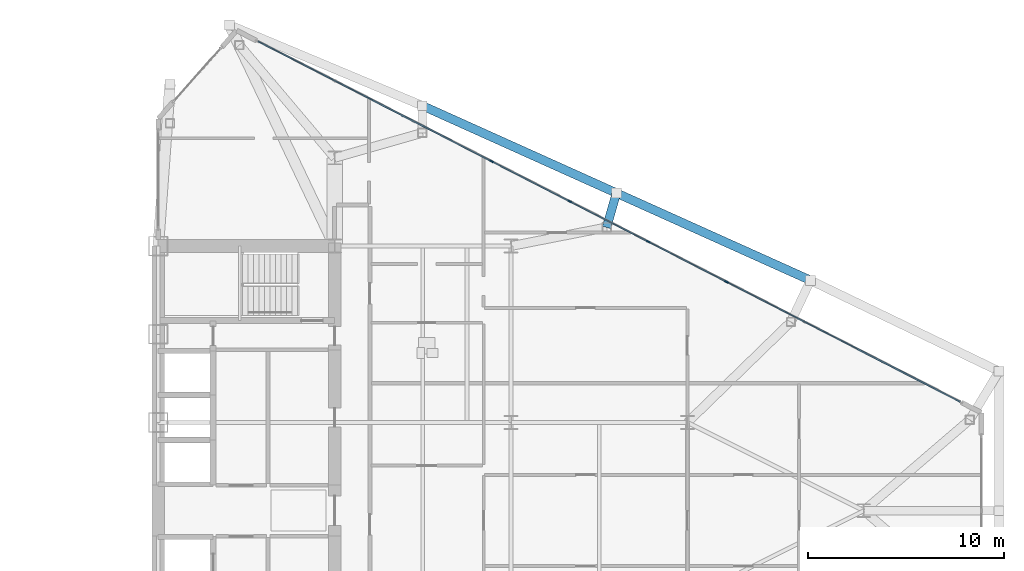
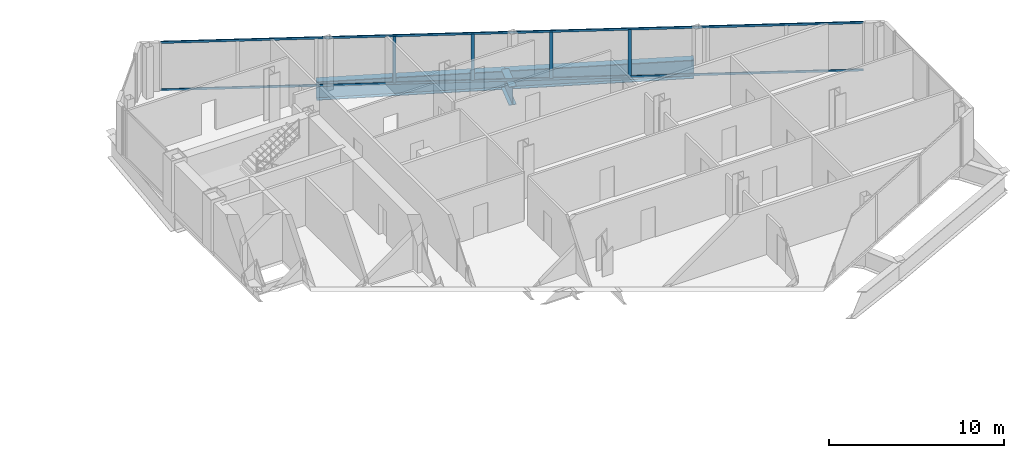
# One storey, part 14 of 28: 6 members, 3 beams, 1 element without a shape of its own.
"""IFC4 building model written with IfcOpenShell, lengths in metres."""

from ifc_helpers import new_model, si_unit, direction, frame, origin, origin_2d, place, context, subcontext, project, spatial, rectangle, i_section, extrude, source, transform, mapped, material, layer, layer_set, material_profile, profile_set, type_object, type_shapes, element, aggregate, save


model = new_model("IFC4")

# Units and contexts
model_context = context("Model", 3, precision=1e-05, world=origin(), true_north=direction((0.0, 1.0)))
body_context = subcontext(model_context, "Body", "Model", "MODEL_VIEW")
ifc_project = project(units=[si_unit("LENGTHUNIT", "METRE"), si_unit("AREAUNIT", "SQUARE_METRE"), si_unit("VOLUMEUNIT", "CUBIC_METRE"), si_unit("PLANEANGLEUNIT", "RADIAN"), si_unit("MASSUNIT", "GRAM", prefix="KILO")], contexts=[model_context])

# Site, building, storey
site_placement = place(None, origin())
site = spatial("IfcSite", under=ifc_project, at=site_placement, CompositionType="ELEMENT")
building_placement = place(site_placement, origin())
building = spatial("IfcBuilding", under=site, at=building_placement, Name="Seokmaru Belvedere", CompositionType="ELEMENT")
storey_placement = place(building_placement, frame((0.0, 0.0, 110.39990234375)))
storey = spatial("IfcBuildingStorey", under=building, at=storey_placement, Name="L29", CompositionType="ELEMENT", Elevation=110.39990234375)

# Beams
ifc_material_1 = material(Name="Steel HSA650 (650 MPa)", Category="steel")
ifc_material_profile_1 = material_profile(ifc_material_1, i_section(OverallWidth=0.449951171875, OverallDepth=1.300048828125, WebThickness=0.02197265625, FlangeThickness=0.0380859375, at=origin_2d()), Name="BH-1300x450x22x38")
ifc_profile_set_1 = profile_set([ifc_material_profile_1], Name="Steel HSA650 (650 MPa)")
beam_type = type_object("IfcBeamType", Name="Observatory Long-Span Roof Girder BH-1300", PredefinedType="BEAM", material=ifc_profile_set_1)
shared_shape_1 = source(origin(), body_context, "Body", "SweptSolid", [
    extrude(i_section(OverallWidth=0.449951171875, OverallDepth=1.300048828125, WebThickness=0.02197265625, FlangeThickness=0.0380859375, at=origin_2d()), origin(), (0.0, 0.0, 1.0), 10.85888671875),
])
for number, where, z_axis, x_axis, name in (
    (1, (40.97265625, 20.661376953125, -0.869873046875), (0.911921505175, -0.410364677329, 0.0), (0.410364677329, 0.911921505175, 0.0), "L29 E Faceted Flank Spandrel N-2"),
    (2, (50.875, 16.205322265625, -0.869873046875), (0.911925291223, -0.410356263785, 0.0), (0.410356263785, 0.911925291223, 0.0), "L29 E Faceted Flank Spandrel N-3"),
):
    element("IfcBeam", number, at=place(storey_placement, frame(where, z_axis=z_axis, x_axis=x_axis)), inside=storey, type_object=beam_type, Name=name, PredefinedType="BEAM", context=body_context, shape_type="MappedRepresentation", body=[
        mapped(shared_shape_1, transform((0.0, 0.0, 0.0), scale=1.0)),
    ])
shared_shape_2 = source(origin(), body_context, "Body", "SweptSolid", [
    extrude(i_section(OverallWidth=0.449951171875, OverallDepth=1.300048828125, WebThickness=0.02197265625, FlangeThickness=0.0380859375, at=origin_2d()), origin(), (0.0, 0.0, 1.0), 1.8212890625),
])
type_shapes(beam_type, [shared_shape_1, shared_shape_2])
beam_placement = place(storey_placement, frame((50.875, 16.205322265625, -0.869873046875), z_axis=(-0.27332219407, -0.961922542739, 0.0), x_axis=(0.961922542739, -0.27332219407, 0.0)))
element("IfcBeam", 3, at=beam_placement, inside=storey, type_object=beam_type, Name="L29 E Flank Setback Step Girder N-2", PredefinedType="BEAM", context=body_context, shape_type="MappedRepresentation", body=[
    mapped(shared_shape_2, transform((0.0, 0.0, 0.0), scale=1.0)),
])

# Curtain wall, members
ifc_material_2 = material(Name="Bronze Triple Insulating Glass", Category="glass")
ifc_layer = layer(ifc_material_2, 0.195068359375)
ifc_layer_set = layer_set([ifc_layer], Name="Bronze Triple Insulating Glass")
curtain_wall_type = type_object("IfcCurtainWallType", Name="Sky-Lobby and Mid-Rise Curtain Wall System CW-4", PredefinedType="NOTDEFINED", material=ifc_layer_set)
curtain_wall_placement = place(storey_placement, origin())
curtain_wall = element("IfcCurtainWall", 4, at=curtain_wall_placement, inside=storey, type_object=curtain_wall_type, Name="L29 Curtain Wall EF3", PredefinedType="NOTDEFINED")
ifc_material_3 = material(Name="Anodised Bronze Aluminium", Category="aluminium")
ifc_material_profile_2 = material_profile(ifc_material_3, rectangle(XDim=0.070068359375, YDim=0.195068359375, at=origin_2d()), Name="CW-M-70x195")
ifc_profile_set_2 = profile_set([ifc_material_profile_2], Name="Anodised Bronze Aluminium")
member_type_1 = type_object("IfcMemberType", Name="Bronze Unitised Mullion 70x195", PredefinedType="MULLION", material=ifc_profile_set_2)
shared_shape_3 = source(origin(), body_context, "Body", "SweptSolid", [
    extrude(rectangle(XDim=0.070068359375, YDim=0.195068359375, at=origin_2d()), origin(), (0.0, 0.0, 1.0), 3.25),
])
type_shapes(member_type_1, [shared_shape_3])
member_1_placement = place(storey_placement, frame((56.4921875, 11.675048828125, 0.065185546875), z_axis=(0.0, 0.0, 1.0), x_axis=(-0.456554528263, -0.889695432562, 0.0)))
member_1 = element("IfcMember", 5, at=member_1_placement, type_object=member_type_1, Name="CW:L29:EF3 Mullion 4", PredefinedType="MULLION", context=body_context, shape_type="MappedRepresentation", body=[
    mapped(shared_shape_3, transform((0.0, 0.0, 0.0), scale=1.0)),
])
member_2_placement = place(storey_placement, frame((52.497314453125, 13.72509765625, 0.065185546875), z_axis=(0.0, 0.0, 1.0), x_axis=(-0.456554528263, -0.889695432562, 0.0)))
member_2 = element("IfcMember", 6, at=member_2_placement, type_object=member_type_1, Name="CW:L29:EF3 Mullion 5", PredefinedType="MULLION", context=body_context, shape_type="MappedRepresentation", body=[
    mapped(shared_shape_3, transform((0.0, 0.0, 0.0), scale=1.0)),
])
member_3_placement = place(storey_placement, frame((48.502685546875, 15.77490234375, 0.065185546875), z_axis=(0.0, 0.0, 1.0), x_axis=(-0.456554528263, -0.889695432562, 0.0)))
member_3 = element("IfcMember", 7, at=member_3_placement, type_object=member_type_1, Name="CW:L29:EF3 Mullion 6", PredefinedType="MULLION", context=body_context, shape_type="MappedRepresentation", body=[
    mapped(shared_shape_3, transform((0.0, 0.0, 0.0), scale=1.0)),
])
member_4_placement = place(storey_placement, frame((44.5078125, 17.824951171875, 0.065185546875), z_axis=(0.0, 0.0, 1.0), x_axis=(-0.456554528263, -0.889695432562, 0.0)))
member_4 = element("IfcMember", 8, at=member_4_placement, type_object=member_type_1, Name="CW:L29:EF3 Mullion 7", PredefinedType="MULLION", context=body_context, shape_type="MappedRepresentation", body=[
    mapped(shared_shape_3, transform((0.0, 0.0, 0.0), scale=1.0)),
])
ifc_material_profile_3 = material_profile(ifc_material_3, rectangle(XDim=0.06494140625, YDim=0.14990234375, at=origin_2d()), Name="CW-T-65x150")
ifc_profile_set_3 = profile_set([ifc_material_profile_3], Name="Anodised Bronze Aluminium")
member_type_2 = type_object("IfcMemberType", Name="Bronze Unitised Transom 65x150", PredefinedType="USERDEFINED", material=ifc_profile_set_3)
shared_shape_4 = source(origin(), body_context, "Body", "SweptSolid", [
    extrude(rectangle(XDim=0.06494140625, YDim=0.14990234375, at=origin_2d()), origin(), (0.0, 0.0, 1.0), 40.271240234375),
])
type_shapes(member_type_2, [shared_shape_4])
member_5_placement = place(storey_placement, frame((68.41455078125, 5.556884765625, 0.03271484375), z_axis=(-0.889693089107, 0.456559094965, 0.0), x_axis=(-0.456559094965, -0.889693089107, 0.0)))
member_5 = element("IfcMember", 9, at=member_5_placement, type_object=member_type_2, Name="CW:L29:EF3 Continuous Transom 1", ObjectType="TRANSOM", PredefinedType="USERDEFINED", context=body_context, shape_type="MappedRepresentation", body=[
    mapped(shared_shape_4, transform((0.0, 0.0, 0.0), scale=1.0)),
])
member_6_placement = place(storey_placement, frame((68.41455078125, 5.556884765625, 3.34765625), z_axis=(-0.889693089107, 0.456559094965, 0.0), x_axis=(-0.456559094965, -0.889693089107, 0.0)))
member_6 = element("IfcMember", 10, at=member_6_placement, type_object=member_type_2, Name="CW:L29:EF3 Continuous Transom 2", ObjectType="TRANSOM", PredefinedType="USERDEFINED", context=body_context, shape_type="MappedRepresentation", body=[
    mapped(shared_shape_4, transform((0.0, 0.0, 0.0), scale=1.0)),
])
aggregate(curtain_wall, [member_1, member_2, member_3, member_4, member_5, member_6])

save(model, "model.ifc")
